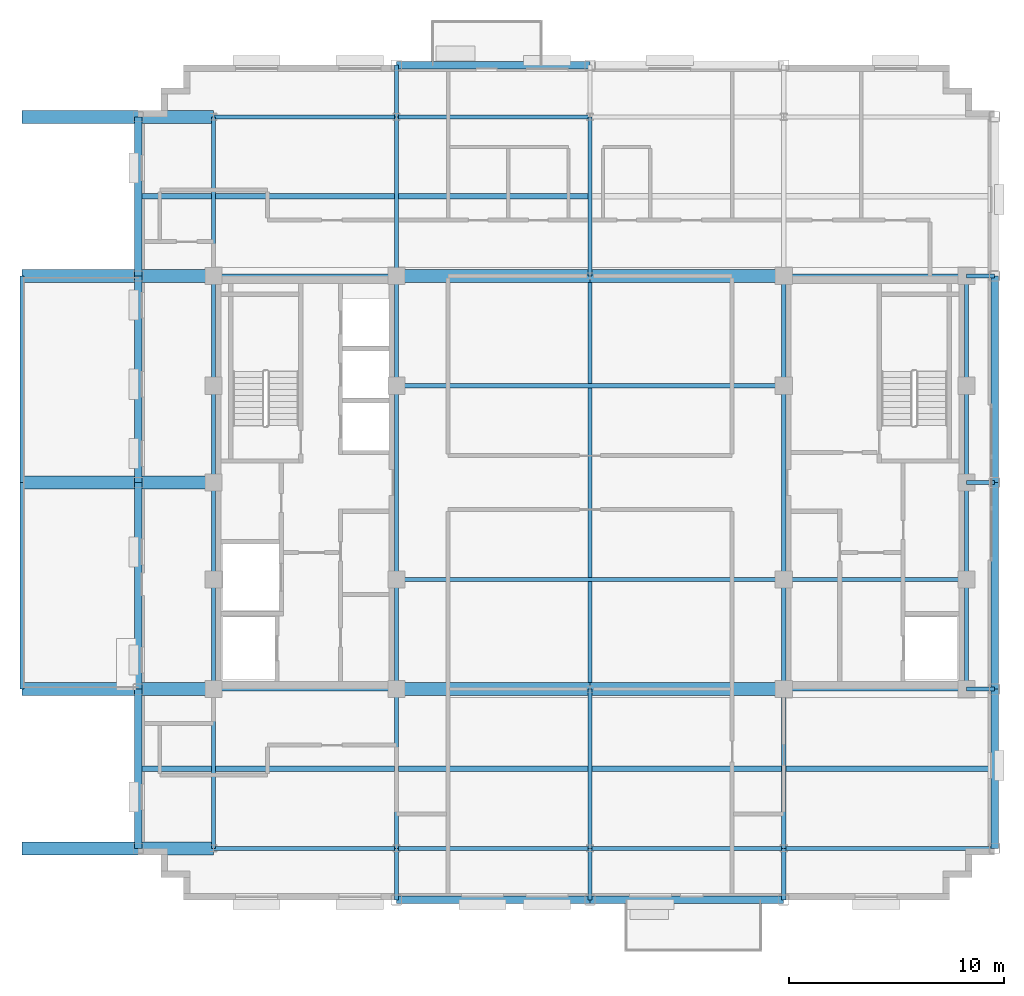
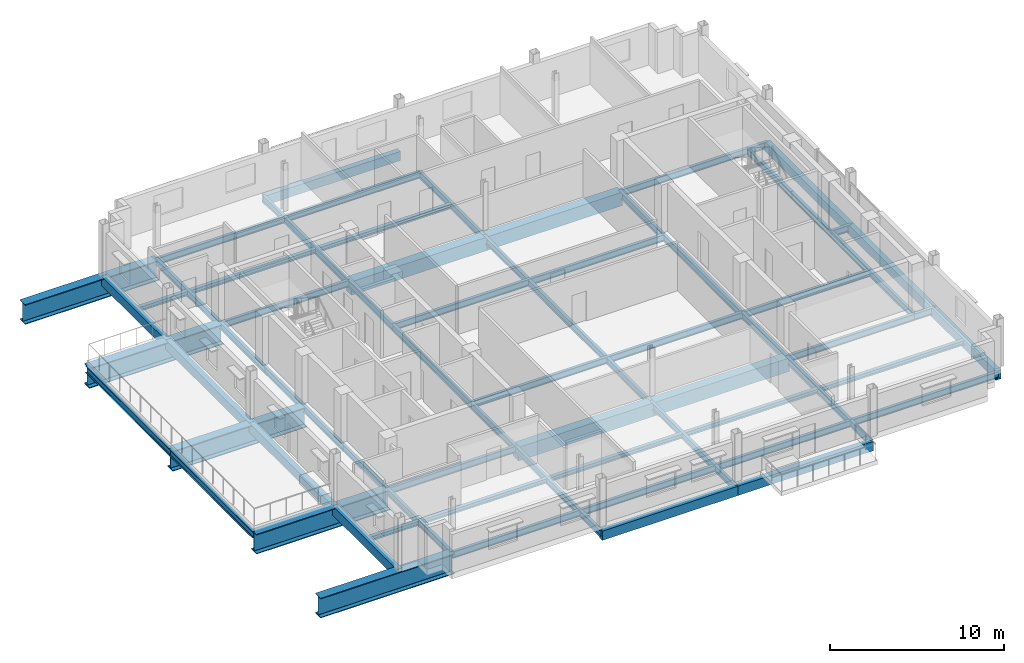
# One storey, part 4 of 14: 71 beams.
"""IFC4 building model written with IfcOpenShell, lengths in metres."""

from ifc_helpers import new_model, si_unit, direction, frame, origin, origin_2d, place, context, subcontext, project, spatial, rectangle, i_section, extrude, material, material_profile, profile_set, type_object, element, save


model = new_model("IFC4")

# Units and contexts
model_context = context("Model", 3, precision=1e-05, world=origin(), true_north=direction((0.0, 1.0)))
body_context = subcontext(model_context, "Body", "Model", "MODEL_VIEW")
ifc_project = project(units=[si_unit("LENGTHUNIT", "METRE"), si_unit("AREAUNIT", "SQUARE_METRE"), si_unit("VOLUMEUNIT", "CUBIC_METRE"), si_unit("PLANEANGLEUNIT", "RADIAN"), si_unit("MASSUNIT", "GRAM", prefix="KILO")], contexts=[model_context])

# Site, building, storey
site_placement = place(None, origin())
site = spatial("IfcSite", under=ifc_project, at=site_placement, CompositionType="ELEMENT")
building_placement = place(site_placement, origin())
building = spatial("IfcBuilding", under=site, at=building_placement, Name="Nuvemarco Arch Tower", CompositionType="ELEMENT")
storey_placement = place(building_placement, frame((0.0, 0.0, 245.64990234375)))
storey = spatial("IfcBuildingStorey", under=building, at=storey_placement, Name="L65", CompositionType="ELEMENT", Elevation=245.64990234375)

# Beams
ifc_material_1 = material(Name="Concrete C60/75", Category="concrete")
ifc_material_profile_1 = material_profile(ifc_material_1, rectangle(XDim=0.60009765625, YDim=0.949951171875, at=origin_2d()), Name="RC-BM-600x950")
ifc_profile_set_1 = profile_set([ifc_material_profile_1], Name="Concrete C60/75")
beam_type_1 = type_object("IfcBeamType", Name="BM-COUP-RC", PredefinedType="LINTEL", material=ifc_profile_set_1)
for number, where, z_axis, x_axis, name in (
    (1, (-9.0, -9.60009765625, -0.875), (1.0, 0.0, 0.0), (0.0, 1.0, 0.0), "L65 structural beam BGEW_L65_0_-9.6_-9.0"),
    (2, (0.0, -9.60009765625, -0.875), (1.0, 0.0, 0.0), (0.0, 1.0, 0.0), "L65 structural beam BGEW_L65_0_-9.6_+0.0"),
    (3, (-9.0, 9.60009765625, -0.875), (1.0, 0.0, 0.0), (0.0, 1.0, 0.0), "L65 structural beam BGEW_L65_0_+9.6_-9.0"),
    (4, (0.0, 9.60009765625, -0.875), (1.0, 0.0, 0.0), (0.0, 1.0, 0.0), "L65 structural beam BGEW_L65_0_+9.6_+0.0"),
):
    element("IfcBeam", number, at=place(storey_placement, frame(where, z_axis=z_axis, x_axis=x_axis)), inside=storey, type_object=beam_type_1, Name=name, PredefinedType="LINTEL", context=body_context, shape_type="SweptSolid", body=[
        extrude(rectangle(XDim=0.60009765625, YDim=0.949951171875, at=origin_2d()), origin(), (0.0, 0.0, 1.0), 9.0),
    ])
ifc_material_2 = material(Name="Steel S355", Category="steel")
ifc_material_profile_2 = material_profile(ifc_material_2, i_section(OverallWidth=0.19189453125, OverallDepth=0.462890625, WebThickness=0.010498046875, FlangeThickness=0.017578125, FilletRadius=0.014892578125, at=origin_2d()), Name="W460x89")
ifc_profile_set_2 = profile_set([ifc_material_profile_2], Name="Steel S355")
beam_type_2 = type_object("IfcBeamType", Name="BM-GIRD-460", PredefinedType="BEAM", material=ifc_profile_set_2)
beam_1_placement = place(storey_placement, frame((-17.5, -17.0, -0.63134765625), z_axis=(0.0, 1.0, 0.0), x_axis=(-1.0, 0.0, 0.0)))
element("IfcBeam", 5, at=beam_1_placement, inside=storey, type_object=beam_type_2, Name="L65 structural beam BGNS_L65_0_-17.5_-17.0", PredefinedType="BEAM", context=body_context, shape_type="SweptSolid", body=[
    extrude(i_section(OverallWidth=0.19189453125, OverallDepth=0.462890625, WebThickness=0.010498046875, FlangeThickness=0.017578125, FilletRadius=0.014892578125, at=origin_2d()), origin(), (0.0, 0.0, 1.0), 7.39990234375),
])
beam_2_placement = place(storey_placement, frame((-17.5, -9.60009765625, -0.63134765625), z_axis=(0.0, 1.0, 0.0), x_axis=(-1.0, 0.0, 0.0)))
element("IfcBeam", 6, at=beam_2_placement, inside=storey, type_object=beam_type_2, Name="L65 structural beam BGNS_L65_0_-17.5_-9.6", PredefinedType="BEAM", context=body_context, shape_type="SweptSolid", body=[
    extrude(i_section(OverallWidth=0.19189453125, OverallDepth=0.462890625, WebThickness=0.010498046875, FlangeThickness=0.017578125, FilletRadius=0.014892578125, at=origin_2d()), origin(), (0.0, 0.0, 1.0), 5.10009765625),
])
for number, where, z_axis, x_axis, name in (
    (7, (-17.5, -4.5, -0.63134765625), (0.0, 1.0, 0.0), (-1.0, 0.0, 0.0), "L65 structural beam BGNS_L65_0_-17.5_-4.5"),
    (8, (-17.5, 0.0, -0.63134765625), (0.0, 1.0, 0.0), (-1.0, 0.0, 0.0), "L65 structural beam BGNS_L65_0_-17.5_+0.0"),
):
    element("IfcBeam", number, at=place(storey_placement, frame(where, z_axis=z_axis, x_axis=x_axis)), inside=storey, type_object=beam_type_2, Name=name, PredefinedType="BEAM", context=body_context, shape_type="SweptSolid", body=[
        extrude(i_section(OverallWidth=0.19189453125, OverallDepth=0.462890625, WebThickness=0.010498046875, FlangeThickness=0.017578125, FilletRadius=0.014892578125, at=origin_2d()), origin(), (0.0, 0.0, 1.0), 4.5),
    ])
beam_3_placement = place(storey_placement, frame((-17.5, 4.5, -0.63134765625), z_axis=(0.0, 1.0, 0.0), x_axis=(-1.0, 0.0, 0.0)))
element("IfcBeam", 9, at=beam_3_placement, inside=storey, type_object=beam_type_2, Name="L65 structural beam BGNS_L65_0_-17.5_+4.5", PredefinedType="BEAM", context=body_context, shape_type="SweptSolid", body=[
    extrude(i_section(OverallWidth=0.19189453125, OverallDepth=0.462890625, WebThickness=0.010498046875, FlangeThickness=0.017578125, FilletRadius=0.014892578125, at=origin_2d()), origin(), (0.0, 0.0, 1.0), 5.10009765625),
])
beam_4_placement = place(storey_placement, frame((-17.5, 9.60009765625, -0.63134765625), z_axis=(0.0, 1.0, 0.0), x_axis=(-1.0, 0.0, 0.0)))
element("IfcBeam", 10, at=beam_4_placement, inside=storey, type_object=beam_type_2, Name="L65 structural beam BGNS_L65_0_-17.5_+9.6", PredefinedType="BEAM", context=body_context, shape_type="SweptSolid", body=[
    extrude(i_section(OverallWidth=0.19189453125, OverallDepth=0.462890625, WebThickness=0.010498046875, FlangeThickness=0.017578125, FilletRadius=0.014892578125, at=origin_2d()), origin(), (0.0, 0.0, 1.0), 7.39990234375),
])
beam_5_placement = place(storey_placement, frame((-9.0, -19.39990234375, -0.63134765625), z_axis=(0.0, 1.0, 0.0), x_axis=(-1.0, 0.0, 0.0)))
element("IfcBeam", 11, at=beam_5_placement, inside=storey, type_object=beam_type_2, Name="L65 structural beam BGNS_L65_0_-9.0_-19.4", PredefinedType="BEAM", context=body_context, shape_type="SweptSolid", body=[
    extrude(i_section(OverallWidth=0.19189453125, OverallDepth=0.462890625, WebThickness=0.010498046875, FlangeThickness=0.017578125, FilletRadius=0.014892578125, at=origin_2d()), origin(), (0.0, 0.0, 1.0), 2.39990234375),
])
beam_6_placement = place(storey_placement, frame((-9.0, -17.0, -0.63134765625), z_axis=(0.0, 1.0, 0.0), x_axis=(-1.0, 0.0, 0.0)))
element("IfcBeam", 12, at=beam_6_placement, inside=storey, type_object=beam_type_2, Name="L65 structural beam BGNS_L65_0_-9.0_-17.0", PredefinedType="BEAM", context=body_context, shape_type="SweptSolid", body=[
    extrude(i_section(OverallWidth=0.19189453125, OverallDepth=0.462890625, WebThickness=0.010498046875, FlangeThickness=0.017578125, FilletRadius=0.014892578125, at=origin_2d()), origin(), (0.0, 0.0, 1.0), 7.39990234375),
])
beam_7_placement = place(storey_placement, frame((-9.0, -9.60009765625, -0.63134765625), z_axis=(0.0, 1.0, 0.0), x_axis=(-1.0, 0.0, 0.0)))
element("IfcBeam", 13, at=beam_7_placement, inside=storey, type_object=beam_type_2, Name="L65 structural beam BGNS_L65_0_-9.0_-9.6", PredefinedType="BEAM", context=body_context, shape_type="SweptSolid", body=[
    extrude(i_section(OverallWidth=0.19189453125, OverallDepth=0.462890625, WebThickness=0.010498046875, FlangeThickness=0.017578125, FilletRadius=0.014892578125, at=origin_2d()), origin(), (0.0, 0.0, 1.0), 5.10009765625),
])
beam_8_placement = place(storey_placement, frame((-9.0, -4.5, -0.63134765625), z_axis=(0.0, 1.0, 0.0), x_axis=(-1.0, 0.0, 0.0)))
element("IfcBeam", 14, at=beam_8_placement, inside=storey, type_object=beam_type_2, Name="L65 structural beam BGNS_L65_0_-9.0_-4.5", PredefinedType="BEAM", context=body_context, shape_type="SweptSolid", body=[
    extrude(i_section(OverallWidth=0.19189453125, OverallDepth=0.462890625, WebThickness=0.010498046875, FlangeThickness=0.017578125, FilletRadius=0.014892578125, at=origin_2d()), origin(), (0.0, 0.0, 1.0), 9.0),
])
beam_9_placement = place(storey_placement, frame((-9.0, 4.5, -0.63134765625), z_axis=(0.0, 1.0, 0.0), x_axis=(-1.0, 0.0, 0.0)))
element("IfcBeam", 15, at=beam_9_placement, inside=storey, type_object=beam_type_2, Name="L65 structural beam BGNS_L65_0_-9.0_+4.5", PredefinedType="BEAM", context=body_context, shape_type="SweptSolid", body=[
    extrude(i_section(OverallWidth=0.19189453125, OverallDepth=0.462890625, WebThickness=0.010498046875, FlangeThickness=0.017578125, FilletRadius=0.014892578125, at=origin_2d()), origin(), (0.0, 0.0, 1.0), 5.10009765625),
])
beam_10_placement = place(storey_placement, frame((-9.0, 9.60009765625, -0.63134765625), z_axis=(0.0, 1.0, 0.0), x_axis=(-1.0, 0.0, 0.0)))
element("IfcBeam", 16, at=beam_10_placement, inside=storey, type_object=beam_type_2, Name="L65 structural beam BGNS_L65_0_-9.0_+9.6", PredefinedType="BEAM", context=body_context, shape_type="SweptSolid", body=[
    extrude(i_section(OverallWidth=0.19189453125, OverallDepth=0.462890625, WebThickness=0.010498046875, FlangeThickness=0.017578125, FilletRadius=0.014892578125, at=origin_2d()), origin(), (0.0, 0.0, 1.0), 7.39990234375),
])
for number, where, z_axis, x_axis, name in (
    (17, (-9.0, 17.0, -0.63134765625), (0.0, 1.0, 0.0), (-1.0, 0.0, 0.0), "L65 structural beam BGNS_L65_0_-9.0_+17.0"),
    (18, (0.0, -19.39990234375, -0.63134765625), (0.0, 1.0, 0.0), (-1.0, 0.0, 0.0), "L65 structural beam BGNS_L65_0_+0.0_-19.4"),
):
    element("IfcBeam", number, at=place(storey_placement, frame(where, z_axis=z_axis, x_axis=x_axis)), inside=storey, type_object=beam_type_2, Name=name, PredefinedType="BEAM", context=body_context, shape_type="SweptSolid", body=[
        extrude(i_section(OverallWidth=0.19189453125, OverallDepth=0.462890625, WebThickness=0.010498046875, FlangeThickness=0.017578125, FilletRadius=0.014892578125, at=origin_2d()), origin(), (0.0, 0.0, 1.0), 2.39990234375),
    ])
beam_11_placement = place(storey_placement, frame((0.0, -17.0, -0.63134765625), z_axis=(0.0, 1.0, 0.0), x_axis=(-1.0, 0.0, 0.0)))
element("IfcBeam", 19, at=beam_11_placement, inside=storey, type_object=beam_type_2, Name="L65 structural beam BGNS_L65_0_+0.0_-17.0", PredefinedType="BEAM", context=body_context, shape_type="SweptSolid", body=[
    extrude(i_section(OverallWidth=0.19189453125, OverallDepth=0.462890625, WebThickness=0.010498046875, FlangeThickness=0.017578125, FilletRadius=0.014892578125, at=origin_2d()), origin(), (0.0, 0.0, 1.0), 7.39990234375),
])
beam_12_placement = place(storey_placement, frame((0.0, -9.60009765625, -0.63134765625), z_axis=(0.0, 1.0, 0.0), x_axis=(-1.0, 0.0, 0.0)))
element("IfcBeam", 20, at=beam_12_placement, inside=storey, type_object=beam_type_2, Name="L65 structural beam BGNS_L65_0_+0.0_-9.6", PredefinedType="BEAM", context=body_context, shape_type="SweptSolid", body=[
    extrude(i_section(OverallWidth=0.19189453125, OverallDepth=0.462890625, WebThickness=0.010498046875, FlangeThickness=0.017578125, FilletRadius=0.014892578125, at=origin_2d()), origin(), (0.0, 0.0, 1.0), 19.2001953125),
])
beam_13_placement = place(storey_placement, frame((0.0, 9.60009765625, -0.63134765625), z_axis=(0.0, 1.0, 0.0), x_axis=(-1.0, 0.0, 0.0)))
element("IfcBeam", 21, at=beam_13_placement, inside=storey, type_object=beam_type_2, Name="L65 structural beam BGNS_L65_0_+0.0_+9.6", PredefinedType="BEAM", context=body_context, shape_type="SweptSolid", body=[
    extrude(i_section(OverallWidth=0.19189453125, OverallDepth=0.462890625, WebThickness=0.010498046875, FlangeThickness=0.017578125, FilletRadius=0.014892578125, at=origin_2d()), origin(), (0.0, 0.0, 1.0), 7.39990234375),
])
beam_14_placement = place(storey_placement, frame((9.0, -19.39990234375, -0.63134765625), z_axis=(0.0, 1.0, 0.0), x_axis=(-1.0, 0.0, 0.0)))
element("IfcBeam", 22, at=beam_14_placement, inside=storey, type_object=beam_type_2, Name="L65 structural beam BGNS_L65_0_+9.0_-19.4", PredefinedType="BEAM", context=body_context, shape_type="SweptSolid", body=[
    extrude(i_section(OverallWidth=0.19189453125, OverallDepth=0.462890625, WebThickness=0.010498046875, FlangeThickness=0.017578125, FilletRadius=0.014892578125, at=origin_2d()), origin(), (0.0, 0.0, 1.0), 2.39990234375),
])
beam_15_placement = place(storey_placement, frame((9.0, -17.0, -0.63134765625), z_axis=(0.0, 1.0, 0.0), x_axis=(-1.0, 0.0, 0.0)))
element("IfcBeam", 23, at=beam_15_placement, inside=storey, type_object=beam_type_2, Name="L65 structural beam BGNS_L65_0_+9.0_-17.0", PredefinedType="BEAM", context=body_context, shape_type="SweptSolid", body=[
    extrude(i_section(OverallWidth=0.19189453125, OverallDepth=0.462890625, WebThickness=0.010498046875, FlangeThickness=0.017578125, FilletRadius=0.014892578125, at=origin_2d()), origin(), (0.0, 0.0, 1.0), 7.39990234375),
])
beam_16_placement = place(storey_placement, frame((9.0, -9.60009765625, -0.63134765625), z_axis=(0.0, 1.0, 0.0), x_axis=(-1.0, 0.0, 0.0)))
element("IfcBeam", 24, at=beam_16_placement, inside=storey, type_object=beam_type_2, Name="L65 structural beam BGNS_L65_0_+9.0_-9.6", PredefinedType="BEAM", context=body_context, shape_type="SweptSolid", body=[
    extrude(i_section(OverallWidth=0.19189453125, OverallDepth=0.462890625, WebThickness=0.010498046875, FlangeThickness=0.017578125, FilletRadius=0.014892578125, at=origin_2d()), origin(), (0.0, 0.0, 1.0), 5.10009765625),
])
beam_17_placement = place(storey_placement, frame((9.0, -4.5, -0.63134765625), z_axis=(0.0, 1.0, 0.0), x_axis=(-1.0, 0.0, 0.0)))
element("IfcBeam", 25, at=beam_17_placement, inside=storey, type_object=beam_type_2, Name="L65 structural beam BGNS_L65_0_+9.0_-4.5", PredefinedType="BEAM", context=body_context, shape_type="SweptSolid", body=[
    extrude(i_section(OverallWidth=0.19189453125, OverallDepth=0.462890625, WebThickness=0.010498046875, FlangeThickness=0.017578125, FilletRadius=0.014892578125, at=origin_2d()), origin(), (0.0, 0.0, 1.0), 9.0),
])
for number, where, z_axis, x_axis, name in (
    (26, (9.0, 4.5, -0.63134765625), (0.0, 1.0, 0.0), (-1.0, 0.0, 0.0), "L65 structural beam BGNS_L65_0_+9.0_+4.5"),
    (27, (17.5, -9.60009765625, -0.63134765625), (0.0, 1.0, 0.0), (-1.0, 0.0, 0.0), "L65 structural beam BGNS_L65_0_+17.5_-9.6"),
):
    element("IfcBeam", number, at=place(storey_placement, frame(where, z_axis=z_axis, x_axis=x_axis)), inside=storey, type_object=beam_type_2, Name=name, PredefinedType="BEAM", context=body_context, shape_type="SweptSolid", body=[
        extrude(i_section(OverallWidth=0.19189453125, OverallDepth=0.462890625, WebThickness=0.010498046875, FlangeThickness=0.017578125, FilletRadius=0.014892578125, at=origin_2d()), origin(), (0.0, 0.0, 1.0), 5.10009765625),
    ])
for number, where, z_axis, x_axis, name in (
    (28, (17.5, -4.5, -0.63134765625), (0.0, 1.0, 0.0), (-1.0, 0.0, 0.0), "L65 structural beam BGNS_L65_0_+17.5_-4.5"),
    (29, (17.5, 0.0, -0.63134765625), (0.0, 1.0, 0.0), (-1.0, 0.0, 0.0), "L65 structural beam BGNS_L65_0_+17.5_+0.0"),
):
    element("IfcBeam", number, at=place(storey_placement, frame(where, z_axis=z_axis, x_axis=x_axis)), inside=storey, type_object=beam_type_2, Name=name, PredefinedType="BEAM", context=body_context, shape_type="SweptSolid", body=[
        extrude(i_section(OverallWidth=0.19189453125, OverallDepth=0.462890625, WebThickness=0.010498046875, FlangeThickness=0.017578125, FilletRadius=0.014892578125, at=origin_2d()), origin(), (0.0, 0.0, 1.0), 4.5),
    ])
beam_18_placement = place(storey_placement, frame((17.5, 4.5, -0.63134765625), z_axis=(0.0, 1.0, 0.0), x_axis=(-1.0, 0.0, 0.0)))
element("IfcBeam", 30, at=beam_18_placement, inside=storey, type_object=beam_type_2, Name="L65 structural beam BGNS_L65_0_+17.5_+4.5", PredefinedType="BEAM", context=body_context, shape_type="SweptSolid", body=[
    extrude(i_section(OverallWidth=0.19189453125, OverallDepth=0.462890625, WebThickness=0.010498046875, FlangeThickness=0.017578125, FilletRadius=0.014892578125, at=origin_2d()), origin(), (0.0, 0.0, 1.0), 5.10009765625),
])
beam_19_placement = place(storey_placement, frame((-17.5, -17.0, -0.63134765625), z_axis=(1.0, 0.0, 0.0), x_axis=(0.0, 1.0, 0.0)))
element("IfcBeam", 31, at=beam_19_placement, inside=storey, type_object=beam_type_2, Name="L65 structural beam BGEW_L65_0_-17.0_-17.5", PredefinedType="BEAM", context=body_context, shape_type="SweptSolid", body=[
    extrude(i_section(OverallWidth=0.19189453125, OverallDepth=0.462890625, WebThickness=0.010498046875, FlangeThickness=0.017578125, FilletRadius=0.014892578125, at=origin_2d()), origin(), (0.0, 0.0, 1.0), 8.5),
])
for number, where, z_axis, x_axis, name in (
    (32, (-9.0, -17.0, -0.63134765625), (1.0, 0.0, 0.0), (0.0, 1.0, 0.0), "L65 structural beam BGEW_L65_0_-17.0_-9.0"),
    (33, (0.0, -17.0, -0.63134765625), (1.0, 0.0, 0.0), (0.0, 1.0, 0.0), "L65 structural beam BGEW_L65_0_-17.0_+0.0"),
):
    element("IfcBeam", number, at=place(storey_placement, frame(where, z_axis=z_axis, x_axis=x_axis)), inside=storey, type_object=beam_type_2, Name=name, PredefinedType="BEAM", context=body_context, shape_type="SweptSolid", body=[
        extrude(i_section(OverallWidth=0.19189453125, OverallDepth=0.462890625, WebThickness=0.010498046875, FlangeThickness=0.017578125, FilletRadius=0.014892578125, at=origin_2d()), origin(), (0.0, 0.0, 1.0), 9.0),
    ])
beam_20_placement = place(storey_placement, frame((9.0, -17.0, -0.63134765625), z_axis=(1.0, 0.0, 0.0), x_axis=(0.0, 1.0, 0.0)))
element("IfcBeam", 34, at=beam_20_placement, inside=storey, type_object=beam_type_2, Name="L65 structural beam BGEW_L65_0_-17.0_+9.0", PredefinedType="BEAM", context=body_context, shape_type="SweptSolid", body=[
    extrude(i_section(OverallWidth=0.19189453125, OverallDepth=0.462890625, WebThickness=0.010498046875, FlangeThickness=0.017578125, FilletRadius=0.014892578125, at=origin_2d()), origin(), (0.0, 0.0, 1.0), 9.800048828125),
])
for number, where, z_axis, x_axis, name in (
    (35, (-17.5, -9.60009765625, -0.63134765625), (1.0, 0.0, 0.0), (0.0, 1.0, 0.0), "L65 structural beam BGEW_L65_0_-9.6_-17.5"),
    (36, (9.0, -9.60009765625, -0.63134765625), (1.0, 0.0, 0.0), (0.0, 1.0, 0.0), "L65 structural beam BGEW_L65_0_-9.6_+9.0"),
):
    element("IfcBeam", number, at=place(storey_placement, frame(where, z_axis=z_axis, x_axis=x_axis)), inside=storey, type_object=beam_type_2, Name=name, PredefinedType="BEAM", context=body_context, shape_type="SweptSolid", body=[
        extrude(i_section(OverallWidth=0.19189453125, OverallDepth=0.462890625, WebThickness=0.010498046875, FlangeThickness=0.017578125, FilletRadius=0.014892578125, at=origin_2d()), origin(), (0.0, 0.0, 1.0), 8.5),
    ])
beam_21_placement = place(storey_placement, frame((17.5, -9.60009765625, -0.63134765625), z_axis=(1.0, 0.0, 0.0), x_axis=(0.0, 1.0, 0.0)))
element("IfcBeam", 37, at=beam_21_placement, inside=storey, type_object=beam_type_2, Name="L65 structural beam BGEW_L65_0_-9.6_+17.5", PredefinedType="BEAM", context=body_context, shape_type="SweptSolid", body=[
    extrude(i_section(OverallWidth=0.19189453125, OverallDepth=0.462890625, WebThickness=0.010498046875, FlangeThickness=0.017578125, FilletRadius=0.014892578125, at=origin_2d()), origin(), (0.0, 0.0, 1.0), 1.300048828125),
])
beam_22_placement = place(storey_placement, frame((-9.0, -4.5, -0.63134765625), z_axis=(1.0, 0.0, 0.0), x_axis=(0.0, 1.0, 0.0)))
element("IfcBeam", 38, at=beam_22_placement, inside=storey, type_object=beam_type_2, Name="L65 structural beam BGEW_L65_0_-4.5_-9.0", PredefinedType="BEAM", context=body_context, shape_type="SweptSolid", body=[
    extrude(i_section(OverallWidth=0.19189453125, OverallDepth=0.462890625, WebThickness=0.010498046875, FlangeThickness=0.017578125, FilletRadius=0.014892578125, at=origin_2d()), origin(), (0.0, 0.0, 1.0), 18.0),
])
beam_23_placement = place(storey_placement, frame((9.0, -4.5, -0.63134765625), z_axis=(1.0, 0.0, 0.0), x_axis=(0.0, 1.0, 0.0)))
element("IfcBeam", 39, at=beam_23_placement, inside=storey, type_object=beam_type_2, Name="L65 structural beam BGEW_L65_0_-4.5_+9.0", PredefinedType="BEAM", context=body_context, shape_type="SweptSolid", body=[
    extrude(i_section(OverallWidth=0.19189453125, OverallDepth=0.462890625, WebThickness=0.010498046875, FlangeThickness=0.017578125, FilletRadius=0.014892578125, at=origin_2d()), origin(), (0.0, 0.0, 1.0), 8.5),
])
beam_24_placement = place(storey_placement, frame((17.5, 0.0, -0.63134765625), z_axis=(1.0, 0.0, 0.0), x_axis=(0.0, 1.0, 0.0)))
element("IfcBeam", 40, at=beam_24_placement, inside=storey, type_object=beam_type_2, Name="L65 structural beam BGEW_L65_0_+0.0_+17.5", PredefinedType="BEAM", context=body_context, shape_type="SweptSolid", body=[
    extrude(i_section(OverallWidth=0.19189453125, OverallDepth=0.462890625, WebThickness=0.010498046875, FlangeThickness=0.017578125, FilletRadius=0.014892578125, at=origin_2d()), origin(), (0.0, 0.0, 1.0), 1.300048828125),
])
beam_25_placement = place(storey_placement, frame((-9.0, 4.5, -0.63134765625), z_axis=(1.0, 0.0, 0.0), x_axis=(0.0, 1.0, 0.0)))
element("IfcBeam", 41, at=beam_25_placement, inside=storey, type_object=beam_type_2, Name="L65 structural beam BGEW_L65_0_+4.5_-9.0", PredefinedType="BEAM", context=body_context, shape_type="SweptSolid", body=[
    extrude(i_section(OverallWidth=0.19189453125, OverallDepth=0.462890625, WebThickness=0.010498046875, FlangeThickness=0.017578125, FilletRadius=0.014892578125, at=origin_2d()), origin(), (0.0, 0.0, 1.0), 18.0),
])
for number, where, z_axis, x_axis, name in (
    (42, (-17.5, 9.60009765625, -0.63134765625), (1.0, 0.0, 0.0), (0.0, 1.0, 0.0), "L65 structural beam BGEW_L65_0_+9.6_-17.5"),
    (43, (9.0, 9.60009765625, -0.63134765625), (1.0, 0.0, 0.0), (0.0, 1.0, 0.0), "L65 structural beam BGEW_L65_0_+9.6_+9.0"),
):
    element("IfcBeam", number, at=place(storey_placement, frame(where, z_axis=z_axis, x_axis=x_axis)), inside=storey, type_object=beam_type_2, Name=name, PredefinedType="BEAM", context=body_context, shape_type="SweptSolid", body=[
        extrude(i_section(OverallWidth=0.19189453125, OverallDepth=0.462890625, WebThickness=0.010498046875, FlangeThickness=0.017578125, FilletRadius=0.014892578125, at=origin_2d()), origin(), (0.0, 0.0, 1.0), 8.5),
    ])
beam_26_placement = place(storey_placement, frame((17.5, 9.60009765625, -0.63134765625), z_axis=(1.0, 0.0, 0.0), x_axis=(0.0, 1.0, 0.0)))
element("IfcBeam", 44, at=beam_26_placement, inside=storey, type_object=beam_type_2, Name="L65 structural beam BGEW_L65_0_+9.6_+17.5", PredefinedType="BEAM", context=body_context, shape_type="SweptSolid", body=[
    extrude(i_section(OverallWidth=0.19189453125, OverallDepth=0.462890625, WebThickness=0.010498046875, FlangeThickness=0.017578125, FilletRadius=0.014892578125, at=origin_2d()), origin(), (0.0, 0.0, 1.0), 1.300048828125),
])
beam_27_placement = place(storey_placement, frame((-17.5, 17.0, -0.63134765625), z_axis=(1.0, 0.0, 0.0), x_axis=(0.0, 1.0, 0.0)))
element("IfcBeam", 45, at=beam_27_placement, inside=storey, type_object=beam_type_2, Name="L65 structural beam BGEW_L65_0_+17.0_-17.5", PredefinedType="BEAM", context=body_context, shape_type="SweptSolid", body=[
    extrude(i_section(OverallWidth=0.19189453125, OverallDepth=0.462890625, WebThickness=0.010498046875, FlangeThickness=0.017578125, FilletRadius=0.014892578125, at=origin_2d()), origin(), (0.0, 0.0, 1.0), 8.5),
])
beam_28_placement = place(storey_placement, frame((-9.0, 17.0, -0.63134765625), z_axis=(1.0, 0.0, 0.0), x_axis=(0.0, 1.0, 0.0)))
element("IfcBeam", 46, at=beam_28_placement, inside=storey, type_object=beam_type_2, Name="L65 structural beam BGEW_L65_0_+17.0_-9.0", PredefinedType="BEAM", context=body_context, shape_type="SweptSolid", body=[
    extrude(i_section(OverallWidth=0.19189453125, OverallDepth=0.462890625, WebThickness=0.010498046875, FlangeThickness=0.017578125, FilletRadius=0.014892578125, at=origin_2d()), origin(), (0.0, 0.0, 1.0), 9.0),
])
ifc_material_profile_3 = material_profile(ifc_material_2, i_section(OverallWidth=0.25390625, OverallDepth=0.305908203125, WebThickness=0.0087890625, FlangeThickness=0.0146484375, FilletRadius=0.014892578125, at=origin_2d()), Name="W310x79")
ifc_profile_set_3 = profile_set([ifc_material_profile_3], Name="Steel S355")
beam_type_3 = type_object("IfcBeamType", Name="BM-JOIST-310H", PredefinedType="JOIST", material=ifc_profile_set_3)
beam_29_placement = place(storey_placement, frame((-20.824951171875, -13.300048828125, -0.552978515625), z_axis=(1.0, 0.0, 0.0), x_axis=(0.0, 1.0, 0.0)))
element("IfcBeam", 47, at=beam_29_placement, inside=storey, type_object=beam_type_3, Name="L65 structural beam BJ_L65_0_-13.3_-21.0", PredefinedType="JOIST", context=body_context, shape_type="SweptSolid", body=[
    extrude(i_section(OverallWidth=0.25390625, OverallDepth=0.305908203125, WebThickness=0.0087890625, FlangeThickness=0.0146484375, FilletRadius=0.014892578125, at=origin_2d()), origin(), (0.0, 0.0, 1.0), 3.22900390625),
])
beam_30_placement = place(storey_placement, frame((-17.404052734375, -13.300048828125, -0.552978515625), z_axis=(1.0, 0.0, 0.0), x_axis=(0.0, 1.0, 0.0)))
element("IfcBeam", 48, at=beam_30_placement, inside=storey, type_object=beam_type_3, Name="L65 structural beam BJ_L65_0_-13.3_-17.5", PredefinedType="JOIST", context=body_context, shape_type="SweptSolid", body=[
    extrude(i_section(OverallWidth=0.25390625, OverallDepth=0.305908203125, WebThickness=0.0087890625, FlangeThickness=0.0146484375, FilletRadius=0.014892578125, at=origin_2d()), origin(), (0.0, 0.0, 1.0), 8.30810546875),
])
for number, where, z_axis, x_axis, name in (
    (49, (-8.904052734375, -13.300048828125, -0.552978515625), (1.0, 0.0, 0.0), (0.0, 1.0, 0.0), "L65 structural beam BJ_L65_0_-13.3_-9.0"),
    (50, (0.095947265625, -13.300048828125, -0.552978515625), (1.0, 0.0, 0.0), (0.0, 1.0, 0.0), "L65 structural beam BJ_L65_0_-13.3_+0.0"),
):
    element("IfcBeam", number, at=place(storey_placement, frame(where, z_axis=z_axis, x_axis=x_axis)), inside=storey, type_object=beam_type_3, Name=name, PredefinedType="JOIST", context=body_context, shape_type="SweptSolid", body=[
        extrude(i_section(OverallWidth=0.25390625, OverallDepth=0.305908203125, WebThickness=0.0087890625, FlangeThickness=0.0146484375, FilletRadius=0.014892578125, at=origin_2d()), origin(), (0.0, 0.0, 1.0), 8.80810546875),
    ])
beam_31_placement = place(storey_placement, frame((9.095947265625, -13.300048828125, -0.552978515625), z_axis=(1.0, 0.0, 0.0), x_axis=(0.0, 1.0, 0.0)))
element("IfcBeam", 51, at=beam_31_placement, inside=storey, type_object=beam_type_3, Name="L65 structural beam BJ_L65_0_-13.3_+9.0", PredefinedType="JOIST", context=body_context, shape_type="SweptSolid", body=[
    extrude(i_section(OverallWidth=0.25390625, OverallDepth=0.305908203125, WebThickness=0.0087890625, FlangeThickness=0.0146484375, FilletRadius=0.014892578125, at=origin_2d()), origin(), (0.0, 0.0, 1.0), 9.529052734375),
])
beam_32_placement = place(storey_placement, frame((-20.824951171875, 13.300048828125, -0.552978515625), z_axis=(1.0, 0.0, 0.0), x_axis=(0.0, 1.0, 0.0)))
element("IfcBeam", 52, at=beam_32_placement, inside=storey, type_object=beam_type_3, Name="L65 structural beam BJ_L65_0_+13.3_-21.0", PredefinedType="JOIST", context=body_context, shape_type="SweptSolid", body=[
    extrude(i_section(OverallWidth=0.25390625, OverallDepth=0.305908203125, WebThickness=0.0087890625, FlangeThickness=0.0146484375, FilletRadius=0.014892578125, at=origin_2d()), origin(), (0.0, 0.0, 1.0), 3.22900390625),
])
beam_33_placement = place(storey_placement, frame((-17.404052734375, 13.300048828125, -0.552978515625), z_axis=(1.0, 0.0, 0.0), x_axis=(0.0, 1.0, 0.0)))
element("IfcBeam", 53, at=beam_33_placement, inside=storey, type_object=beam_type_3, Name="L65 structural beam BJ_L65_0_+13.3_-17.5", PredefinedType="JOIST", context=body_context, shape_type="SweptSolid", body=[
    extrude(i_section(OverallWidth=0.25390625, OverallDepth=0.305908203125, WebThickness=0.0087890625, FlangeThickness=0.0146484375, FilletRadius=0.014892578125, at=origin_2d()), origin(), (0.0, 0.0, 1.0), 8.30810546875),
])
beam_34_placement = place(storey_placement, frame((-8.904052734375, 13.300048828125, -0.552978515625), z_axis=(1.0, 0.0, 0.0), x_axis=(0.0, 1.0, 0.0)))
element("IfcBeam", 54, at=beam_34_placement, inside=storey, type_object=beam_type_3, Name="L65 structural beam BJ_L65_0_+13.3_-9.0", PredefinedType="JOIST", context=body_context, shape_type="SweptSolid", body=[
    extrude(i_section(OverallWidth=0.25390625, OverallDepth=0.305908203125, WebThickness=0.0087890625, FlangeThickness=0.0146484375, FilletRadius=0.014892578125, at=origin_2d()), origin(), (0.0, 0.0, 1.0), 8.80810546875),
])
ifc_material_profile_4 = material_profile(ifc_material_2, i_section(OverallWidth=0.19189453125, OverallDepth=0.462890625, WebThickness=0.010498046875, FlangeThickness=0.017578125, FilletRadius=0.014892578125, at=origin_2d()), Name="W460x89")
ifc_profile_set_4 = profile_set([ifc_material_profile_4], Name="Steel S355")
beam_type_4 = type_object("IfcBeamType", Name="BM-SET-TERR", PredefinedType="BEAM", material=ifc_profile_set_4)
for number, where, z_axis, x_axis, name in (
    (55, (-26.39990234375, -9.60009765625, -0.59130859375), (0.0, 1.0, 0.0), (-1.0, 0.0, 0.0), "L65 structural beam BSETE_L65_0_0"),
    (56, (-26.39990234375, 0.0, -0.59130859375), (0.0, 1.0, 0.0), (-1.0, 0.0, 0.0), "L65 structural beam BSETE_L65_0_1"),
):
    element("IfcBeam", number, at=place(storey_placement, frame(where, z_axis=z_axis, x_axis=x_axis)), inside=storey, type_object=beam_type_4, Name=name, PredefinedType="BEAM", context=body_context, shape_type="SweptSolid", body=[
        extrude(i_section(OverallWidth=0.19189453125, OverallDepth=0.462890625, WebThickness=0.010498046875, FlangeThickness=0.017578125, FilletRadius=0.014892578125, at=origin_2d()), origin(), (0.0, 0.0, 1.0), 9.60009765625),
    ])
ifc_material_3 = material(Name="Precast concrete C45/55", Category="concrete")
ifc_material_profile_5 = material_profile(ifc_material_3, rectangle(XDim=0.35009765625, YDim=0.64990234375, at=origin_2d()), Name="PC-SP-350x650")
ifc_profile_set_5 = profile_set([ifc_material_profile_5], Name="Precast concrete C45/55")
beam_type_5 = type_object("IfcBeamType", Name="BM-SPAN-RC", PredefinedType="SPANDREL", material=ifc_profile_set_5)
beam_35_placement = place(storey_placement, frame((-21.0, -17.0, -0.724853515625), z_axis=(0.0, 1.0, 0.0), x_axis=(-1.0, 0.0, 0.0)))
element("IfcBeam", 57, at=beam_35_placement, inside=storey, type_object=beam_type_5, Name="L65 structural beam BGNS_L65_0_-21.0_-17.0", PredefinedType="SPANDREL", context=body_context, shape_type="SweptSolid", body=[
    extrude(rectangle(XDim=0.35009765625, YDim=0.64990234375, at=origin_2d()), origin(), (0.0, 0.0, 1.0), 7.39990234375),
])
for number, where, z_axis, x_axis, name in (
    (58, (-21.0, -9.60009765625, -0.724853515625), (0.0, 1.0, 0.0), (-1.0, 0.0, 0.0), "L65 structural beam BGNS_L65_0_-21.0_-9.6"),
    (59, (-21.0, 0.0, -0.724853515625), (0.0, 1.0, 0.0), (-1.0, 0.0, 0.0), "L65 structural beam BGNS_L65_0_-21.0_+0.0"),
):
    element("IfcBeam", number, at=place(storey_placement, frame(where, z_axis=z_axis, x_axis=x_axis)), inside=storey, type_object=beam_type_5, Name=name, PredefinedType="SPANDREL", context=body_context, shape_type="SweptSolid", body=[
        extrude(rectangle(XDim=0.35009765625, YDim=0.64990234375, at=origin_2d()), origin(), (0.0, 0.0, 1.0), 9.60009765625),
    ])
for number, where, z_axis, x_axis, name in (
    (60, (-21.0, 9.60009765625, -0.724853515625), (0.0, 1.0, 0.0), (-1.0, 0.0, 0.0), "L65 structural beam BGNS_L65_0_-21.0_+9.6"),
    (61, (18.800048828125, -17.0, -0.724853515625), (0.0, 1.0, 0.0), (-1.0, 0.0, 0.0), "L65 structural beam BGNS_L65_0_+18.8_-17.0"),
):
    element("IfcBeam", number, at=place(storey_placement, frame(where, z_axis=z_axis, x_axis=x_axis)), inside=storey, type_object=beam_type_5, Name=name, PredefinedType="SPANDREL", context=body_context, shape_type="SweptSolid", body=[
        extrude(rectangle(XDim=0.35009765625, YDim=0.64990234375, at=origin_2d()), origin(), (0.0, 0.0, 1.0), 7.39990234375),
    ])
for number, where, z_axis, x_axis, name in (
    (62, (18.800048828125, -9.60009765625, -0.724853515625), (0.0, 1.0, 0.0), (-1.0, 0.0, 0.0), "L65 structural beam BGNS_L65_0_+18.8_-9.6"),
    (63, (18.800048828125, 0.0, -0.724853515625), (0.0, 1.0, 0.0), (-1.0, 0.0, 0.0), "L65 structural beam BGNS_L65_0_+18.8_+0.0"),
):
    element("IfcBeam", number, at=place(storey_placement, frame(where, z_axis=z_axis, x_axis=x_axis)), inside=storey, type_object=beam_type_5, Name=name, PredefinedType="SPANDREL", context=body_context, shape_type="SweptSolid", body=[
        extrude(rectangle(XDim=0.35009765625, YDim=0.64990234375, at=origin_2d()), origin(), (0.0, 0.0, 1.0), 9.60009765625),
    ])
for number, where, z_axis, x_axis, name in (
    (64, (-9.0, -19.39990234375, -0.724853515625), (1.0, 0.0, 0.0), (0.0, 1.0, 0.0), "L65 structural beam BGEW_L65_0_-19.4_-9.0"),
    (65, (0.0, -19.39990234375, -0.724853515625), (1.0, 0.0, 0.0), (0.0, 1.0, 0.0), "L65 structural beam BGEW_L65_0_-19.4_+0.0"),
    (66, (-9.0, 19.39990234375, -0.724853515625), (1.0, 0.0, 0.0), (0.0, 1.0, 0.0), "L65 structural beam BGEW_L65_0_+19.4_-9.0"),
):
    element("IfcBeam", number, at=place(storey_placement, frame(where, z_axis=z_axis, x_axis=x_axis)), inside=storey, type_object=beam_type_5, Name=name, PredefinedType="SPANDREL", context=body_context, shape_type="SweptSolid", body=[
        extrude(rectangle(XDim=0.35009765625, YDim=0.64990234375, at=origin_2d()), origin(), (0.0, 0.0, 1.0), 9.0),
    ])
ifc_material_4 = material(Name="Steel S460", Category="steel")
ifc_material_profile_6 = material_profile(ifc_material_4, i_section(OverallWidth=0.60009765625, OverallDepth=1.39990234375, WebThickness=0.031982421875, FlangeThickness=0.054931640625, FilletRadius=0.02001953125, at=origin_2d()), Name="PG1400x600")
ifc_profile_set_6 = profile_set([ifc_material_profile_6], Name="Steel S460")
beam_type_6 = type_object("IfcBeamType", Name="BM-TG-SETBACK", PredefinedType="BEAM", material=ifc_profile_set_6)
for number, where, z_axis, x_axis, name in (
    (67, (-26.39990234375, -17.0, -1.099853515625), (1.0, 0.0, 0.0), (0.0, 1.0, 0.0), "L65 structural beam TGS_L65_W_-17.0"),
    (68, (-26.39990234375, -9.60009765625, -1.099853515625), (1.0, 0.0, 0.0), (0.0, 1.0, 0.0), "L65 structural beam TGS_L65_W_-9.6"),
    (69, (-26.39990234375, 0.0, -1.099853515625), (1.0, 0.0, 0.0), (0.0, 1.0, 0.0), "L65 structural beam TGS_L65_W_+0.0"),
    (70, (-26.39990234375, 9.60009765625, -1.099853515625), (1.0, 0.0, 0.0), (0.0, 1.0, 0.0), "L65 structural beam TGS_L65_W_+9.6"),
    (71, (-26.39990234375, 17.0, -1.099853515625), (1.0, 0.0, 0.0), (0.0, 1.0, 0.0), "L65 structural beam TGS_L65_W_+17.0"),
):
    element("IfcBeam", number, at=place(storey_placement, frame(where, z_axis=z_axis, x_axis=x_axis)), inside=storey, type_object=beam_type_6, Name=name, PredefinedType="BEAM", context=body_context, shape_type="SweptSolid", body=[
        extrude(i_section(OverallWidth=0.60009765625, OverallDepth=1.39990234375, WebThickness=0.031982421875, FlangeThickness=0.054931640625, FilletRadius=0.02001953125, at=origin_2d()), origin(), (0.0, 0.0, 1.0), 8.89990234375),
    ])

save(model, "model.ifc")
